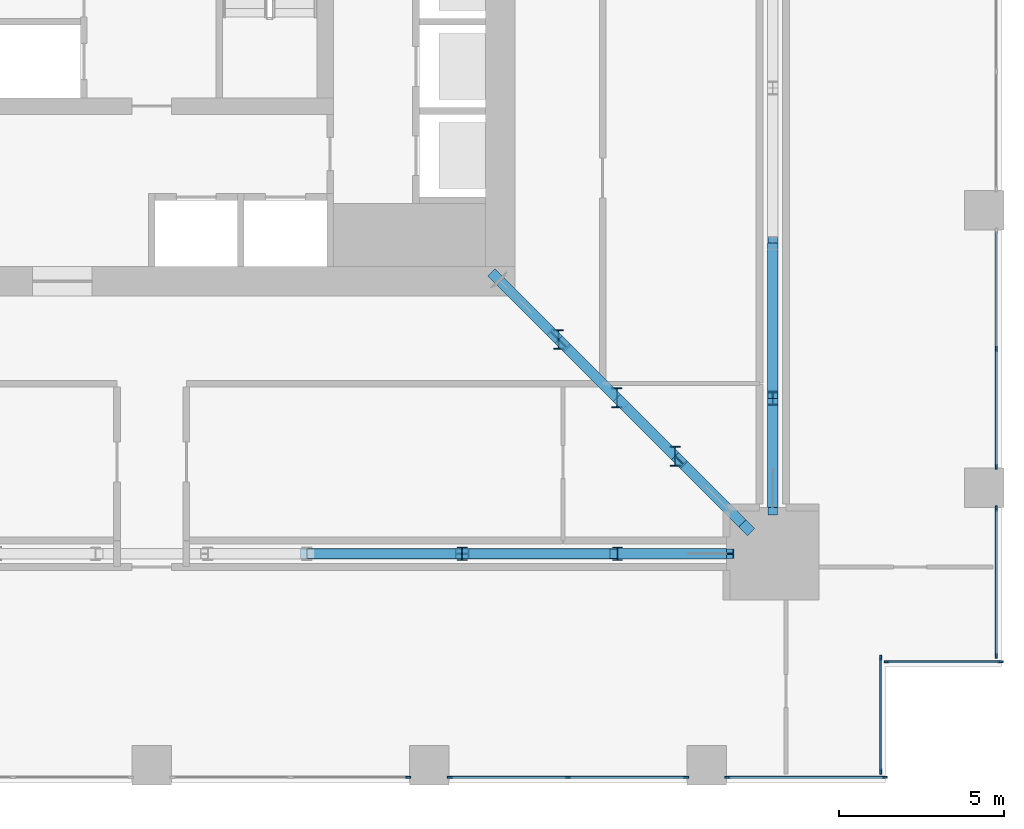
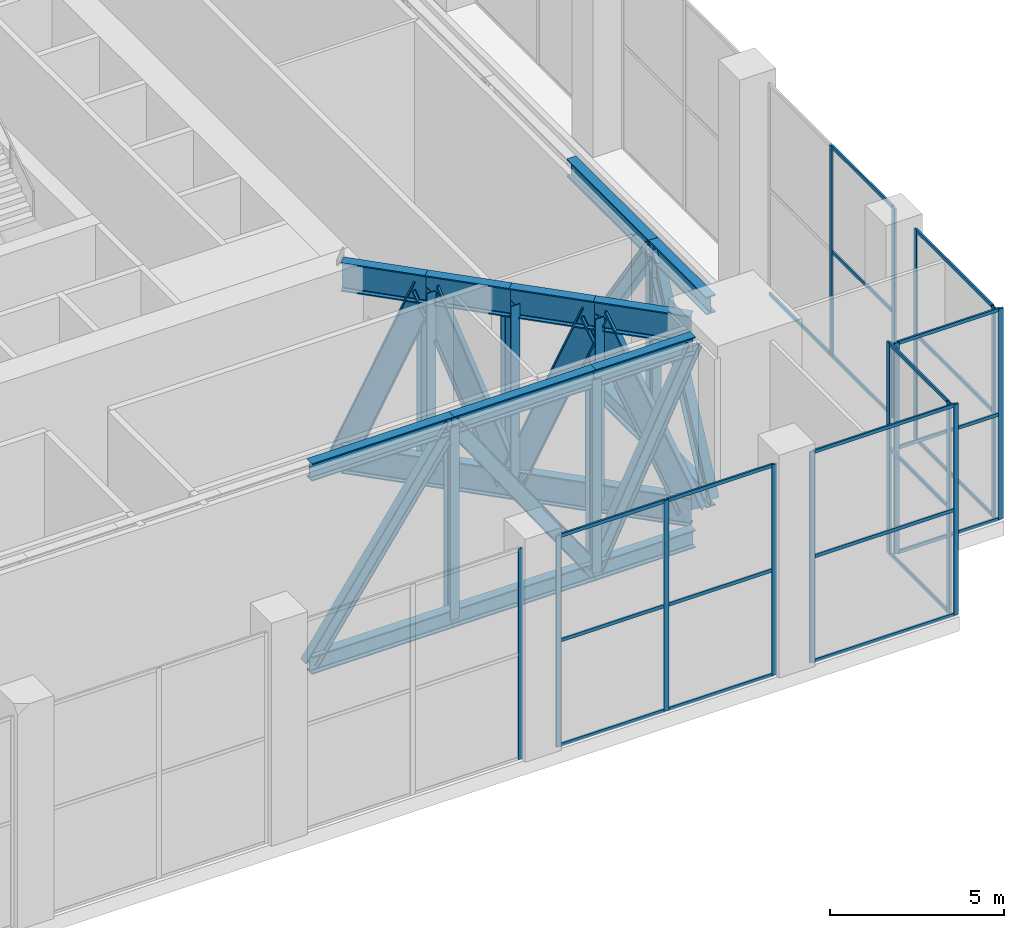
# One storey, part 5 of 21: 69 members, 7 elements without a shape of their own.
"""IFC4 building model written with IfcOpenShell, lengths in metres."""

from ifc_helpers import new_model, si_unit, direction, frame, origin, origin_2d, place, context, subcontext, project, spatial, rectangle, i_section, extrude, material, material_profile, profile_set, type_object, element, aggregate, save


model = new_model("IFC4")

# Units and contexts
model_context = context("Model", 3, precision=1e-05, world=origin(), true_north=direction((0.0, 1.0)))
body_context = subcontext(model_context, "Body", "Model", "MODEL_VIEW")
ifc_project = project(units=[si_unit("LENGTHUNIT", "METRE"), si_unit("AREAUNIT", "SQUARE_METRE"), si_unit("VOLUMEUNIT", "CUBIC_METRE"), si_unit("PLANEANGLEUNIT", "RADIAN"), si_unit("MASSUNIT", "GRAM", prefix="KILO")], contexts=[model_context])

# Site, building, storey
site_placement = place(None, origin())
site = spatial("IfcSite", under=ifc_project, at=site_placement, CompositionType="ELEMENT")
building_placement = place(site_placement, origin())
building = spatial("IfcBuilding", under=site, at=building_placement, Name="Khepri Terraces", CompositionType="ELEMENT")
storey_placement = place(building_placement, frame((0.0, 0.0, 126.0)))
storey = spatial("IfcBuildingStorey", under=building, at=storey_placement, Name="L30", CompositionType="ELEMENT", Elevation=126.0)

# Members
ifc_material_1 = material(Name="Steel S355", Category="steel")
ifc_material_profile_1 = material_profile(ifc_material_1, i_section(OverallWidth=0.304931640625, OverallDepth=0.6201171875, WebThickness=0.02099609375, FlangeThickness=0.0400390625, FilletRadius=0.027099609375, at=origin_2d()), Name="Steel S355", Category="steel")
ifc_profile_set_1 = profile_set([ifc_material_profile_1], Name="Steel S355")
member_type_1 = type_object("IfcMemberType", Name="Belt truss chord HEM 600", PredefinedType="CHORD", material=ifc_profile_set_1)
for number, where, z_axis, x_axis, name in (
    (1, (4.699951171875, -18.800048828125, 0.31005859375), (1.0, 0.0, 0.0), (0.0, 1.0, 0.0), "Belt truss chord BT-30-S bottom 7"),
    (2, (4.699951171875, -18.800048828125, 7.070068359375), (1.0, 0.0, 0.0), (0.0, 1.0, 0.0), "Belt truss chord BT-30-S top 7"),
):
    element("IfcMember", number, at=place(storey_placement, frame(where, z_axis=z_axis, x_axis=x_axis)), inside=storey, type_object=member_type_1, Name=name, PredefinedType="CHORD", context=body_context, shape_type="SweptSolid", body=[
        extrude(i_section(OverallWidth=0.304931640625, OverallDepth=0.6201171875, WebThickness=0.02099609375, FlangeThickness=0.0400390625, FilletRadius=0.027099609375, at=origin_2d()), origin(), (0.0, 0.0, 1.0), 4.699951171875),
    ])
for number, where, z_axis, x_axis, name in (
    (3, (9.39990234375, -18.800048828125, 0.31005859375), (1.0, 0.0, 0.0), (0.0, 1.0, 0.0), "Belt truss chord BT-30-S bottom 8"),
    (4, (9.39990234375, -18.800048828125, 7.070068359375), (1.0, 0.0, 0.0), (0.0, 1.0, 0.0), "Belt truss chord BT-30-S top 8"),
):
    element("IfcMember", number, at=place(storey_placement, frame(where, z_axis=z_axis, x_axis=x_axis)), inside=storey, type_object=member_type_1, Name=name, PredefinedType="CHORD", context=body_context, shape_type="SweptSolid", body=[
        extrude(i_section(OverallWidth=0.304931640625, OverallDepth=0.6201171875, WebThickness=0.02099609375, FlangeThickness=0.0400390625, FilletRadius=0.027099609375, at=origin_2d()), origin(), (0.0, 0.0, 1.0), 4.7001953125),
    ])
for number, where, z_axis, x_axis, name in (
    (5, (14.10009765625, -18.800048828125, 0.31005859375), (1.0, 0.0, 0.0), (0.0, 1.0, 0.0), "Belt truss chord BT-30-S bottom 9"),
    (6, (14.10009765625, -18.800048828125, 7.070068359375), (1.0, 0.0, 0.0), (0.0, 1.0, 0.0), "Belt truss chord BT-30-S top 9"),
    (7, (18.800048828125, -17.39990234375, 0.31005859375), (0.0, 1.0, 0.0), (-1.0, 0.0, 0.0), "Belt truss chord BT-30-E bottom 1"),
    (8, (18.800048828125, -17.39990234375, 7.070068359375), (0.0, 1.0, 0.0), (-1.0, 0.0, 0.0), "Belt truss chord BT-30-E top 1"),
):
    element("IfcMember", number, at=place(storey_placement, frame(where, z_axis=z_axis, x_axis=x_axis)), inside=storey, type_object=member_type_1, Name=name, PredefinedType="CHORD", context=body_context, shape_type="SweptSolid", body=[
        extrude(i_section(OverallWidth=0.304931640625, OverallDepth=0.6201171875, WebThickness=0.02099609375, FlangeThickness=0.0400390625, FilletRadius=0.027099609375, at=origin_2d()), origin(), (0.0, 0.0, 1.0), 3.2998046875),
    ])
for number, where, z_axis, x_axis, name in (
    (9, (18.800048828125, -14.10009765625, 0.31005859375), (0.0, 1.0, 0.0), (-1.0, 0.0, 0.0), "Belt truss chord BT-30-E bottom 2"),
    (10, (18.800048828125, -14.10009765625, 7.070068359375), (0.0, 1.0, 0.0), (-1.0, 0.0, 0.0), "Belt truss chord BT-30-E top 2"),
):
    element("IfcMember", number, at=place(storey_placement, frame(where, z_axis=z_axis, x_axis=x_axis)), inside=storey, type_object=member_type_1, Name=name, PredefinedType="CHORD", context=body_context, shape_type="SweptSolid", body=[
        extrude(i_section(OverallWidth=0.304931640625, OverallDepth=0.6201171875, WebThickness=0.02099609375, FlangeThickness=0.0400390625, FilletRadius=0.027099609375, at=origin_2d()), origin(), (0.0, 0.0, 1.0), 4.7001953125),
    ])
ifc_material_profile_2 = material_profile(ifc_material_1, i_section(OverallWidth=0.300048828125, OverallDepth=0.5, WebThickness=0.014404296875, FlangeThickness=0.028076171875, FilletRadius=0.027099609375, at=origin_2d()), Name="Steel S355", Category="steel")
ifc_profile_set_2 = profile_set([ifc_material_profile_2], Name="Steel S355")
member_type_2 = type_object("IfcMemberType", Name="Belt truss diagonal HEB 500", PredefinedType="BRACE", material=ifc_profile_set_2)
for number, where, z_axis, x_axis, name in (
    (11, (4.699951171875, -18.800048828125, 0.31005859375), (0.570846397071, 0.0, 0.82105687437), (0.0, 1.0, 0.0), "Belt truss diagonal BT-30-S 7"),
    (12, (9.39990234375, -18.800048828125, 7.070068359375), (0.570866386548, 0.0, -0.821042976165), (0.0, 1.0, 0.0), "Belt truss diagonal BT-30-S 8"),
):
    element("IfcMember", number, at=place(storey_placement, frame(where, z_axis=z_axis, x_axis=x_axis)), inside=storey, type_object=member_type_2, Name=name, PredefinedType="BRACE", context=body_context, shape_type="SweptSolid", body=[
        extrude(i_section(OverallWidth=0.300048828125, OverallDepth=0.5, WebThickness=0.014404296875, FlangeThickness=0.028076171875, FilletRadius=0.027099609375, at=origin_2d()), origin(), (0.0, 0.0, 1.0), 8.2333984375),
    ])
for number, where, z_axis, x_axis, name in (
    (13, (14.10009765625, -18.800048828125, 0.31005859375), (0.438664043467, 0.0, 0.898651131958), (0.0, 1.0, 0.0), "Belt truss diagonal BT-30-S 9"),
    (14, (18.800048828125, -17.39990234375, 0.31005859375), (0.0, 0.438664043467, 0.898651131958), (-1.0, 0.0, 0.0), "Belt truss diagonal BT-30-E 1"),
):
    element("IfcMember", number, at=place(storey_placement, frame(where, z_axis=z_axis, x_axis=x_axis)), inside=storey, type_object=member_type_2, Name=name, PredefinedType="BRACE", context=body_context, shape_type="SweptSolid", body=[
        extrude(i_section(OverallWidth=0.300048828125, OverallDepth=0.5, WebThickness=0.014404296875, FlangeThickness=0.028076171875, FilletRadius=0.027099609375, at=origin_2d()), origin(), (0.0, 0.0, 1.0), 7.5224609375),
    ])
member_1_placement = place(storey_placement, frame((18.800048828125, -14.10009765625, 7.070068359375), z_axis=(0.0, 0.570866386548, -0.821042976165), x_axis=(-1.0, 0.0, 0.0)))
element("IfcMember", 15, at=member_1_placement, inside=storey, type_object=member_type_2, Name="Belt truss diagonal BT-30-E 2", PredefinedType="BRACE", context=body_context, shape_type="SweptSolid", body=[
    extrude(i_section(OverallWidth=0.300048828125, OverallDepth=0.5, WebThickness=0.014404296875, FlangeThickness=0.028076171875, FilletRadius=0.027099609375, at=origin_2d()), origin(), (0.0, 0.0, 1.0), 8.2333984375),
])
ifc_material_profile_3 = material_profile(ifc_material_1, i_section(OverallWidth=0.300048828125, OverallDepth=0.39990234375, WebThickness=0.013427734375, FlangeThickness=0.02392578125, FilletRadius=0.027099609375, at=origin_2d()), Name="Steel S355", Category="steel")
ifc_profile_set_3 = profile_set([ifc_material_profile_3], Name="Steel S355")
member_type_3 = type_object("IfcMemberType", Name="Belt truss post HEB 400", PredefinedType="POST", material=ifc_profile_set_3)
for number, where, z_axis, x_axis, name in (
    (16, (9.39990234375, -18.800048828125, 0.31005859375), (0.0, 0.0, 1.0), (1.0, 0.0, 0.0), "Belt truss post BT-30-S 7"),
    (17, (14.10009765625, -18.800048828125, 0.31005859375), (0.0, 0.0, 1.0), (1.0, 0.0, 0.0), "Belt truss post BT-30-S 8"),
    (18, (18.800048828125, -14.10009765625, 0.31005859375), (0.0, 0.0, 1.0), (1.0, 0.0, 0.0), "Belt truss post BT-30-E 1"),
):
    element("IfcMember", number, at=place(storey_placement, frame(where, z_axis=z_axis, x_axis=x_axis)), inside=storey, type_object=member_type_3, Name=name, PredefinedType="POST", context=body_context, shape_type="SweptSolid", body=[
        extrude(i_section(OverallWidth=0.300048828125, OverallDepth=0.39990234375, WebThickness=0.013427734375, FlangeThickness=0.02392578125, FilletRadius=0.027099609375, at=origin_2d()), origin(), (0.0, 0.0, 1.0), 6.760009765625),
    ])

# Curtain wall, members
ifc_material_2 = material(Name="Anodised aluminium bronze curtain wall", Category="aluminium")
curtain_wall_type = type_object("IfcCurtainWallType", Name="CW-SYS3-SKY", PredefinedType="NOTDEFINED", material=ifc_material_2)
curtain_wall_1_placement = place(storey_placement, origin())
curtain_wall_1 = element("IfcCurtainWall", 19, at=curtain_wall_1_placement, inside=storey, type_object=curtain_wall_type, Name="Curtain wall CW3 L30 E", PredefinedType="NOTDEFINED")
ifc_material_3 = material(Name="Anodised aluminium bronze", Category="aluminium")
ifc_material_profile_4 = material_profile(ifc_material_3, rectangle(XDim=0.06005859375, YDim=0.159912109375, at=origin_2d()), Name="Anodised aluminium bronze", Category="aluminium")
ifc_profile_set_4 = profile_set([ifc_material_profile_4], Name="Anodised aluminium bronze")
member_type_4 = type_object("IfcMemberType", Name="CW-MULLION-60x160", PredefinedType="MULLION", material=ifc_profile_set_4)
member_2_placement = place(storey_placement, frame((25.570068359375, -21.889892578125, 0.0), z_axis=(0.0, 0.0, 1.0), x_axis=(-1.0, 0.0, 0.0)))
member_2 = element("IfcMember", 20, at=member_2_placement, type_object=member_type_4, Name="CW3 mullion 1", PredefinedType="MULLION", context=body_context, shape_type="SweptSolid", body=[
    extrude(rectangle(XDim=0.06005859375, YDim=0.159912109375, at=origin_2d()), origin(), (0.0, 0.0, 1.0), 7.3798828125),
])
member_3_placement = place(storey_placement, frame((25.570068359375, -17.429931640625, 0.0), z_axis=(0.0, 0.0, 1.0), x_axis=(-1.0, 0.0, 0.0)))
member_3 = element("IfcMember", 21, at=member_3_placement, type_object=member_type_4, Name="CW3 mullion 2", PredefinedType="MULLION", context=body_context, shape_type="SweptSolid", body=[
    extrude(rectangle(XDim=0.06005859375, YDim=0.159912109375, at=origin_2d()), origin(), (0.0, 0.0, 1.0), 7.3798828125),
])

curtain_wall_2_placement = place(storey_placement, origin())
curtain_wall_2 = element("IfcCurtainWall", 22, at=curtain_wall_2_placement, inside=storey, type_object=curtain_wall_type, Name="Curtain wall CW3 L30 E", PredefinedType="NOTDEFINED")
member_4_placement = place(storey_placement, frame((25.570068359375, -16.169921875, 0.0), z_axis=(0.0, 0.0, 1.0), x_axis=(-1.0, 0.0, 0.0)))
member_4 = element("IfcMember", 23, at=member_4_placement, type_object=member_type_4, Name="CW3 mullion 1", PredefinedType="MULLION", context=body_context, shape_type="SweptSolid", body=[
    extrude(rectangle(XDim=0.06005859375, YDim=0.159912109375, at=origin_2d()), origin(), (0.0, 0.0, 1.0), 7.3798828125),
])
member_5_placement = place(storey_placement, frame((25.570068359375, -12.60009765625, 0.0), z_axis=(0.0, 0.0, 1.0), x_axis=(-1.0, 0.0, 0.0)))
member_5 = element("IfcMember", 24, at=member_5_placement, type_object=member_type_4, Name="CW3 mullion 2", PredefinedType="MULLION", context=body_context, shape_type="SweptSolid", body=[
    extrude(rectangle(XDim=0.06005859375, YDim=0.159912109375, at=origin_2d()), origin(), (0.0, 0.0, 1.0), 7.3798828125),
])

# Curtain wall, member
curtain_wall_3_placement = place(storey_placement, origin())
curtain_wall_3 = element("IfcCurtainWall", 25, at=curtain_wall_3_placement, inside=storey, type_object=curtain_wall_type, Name="Curtain wall CW3 L30 S", PredefinedType="NOTDEFINED")
member_6_placement = place(storey_placement, frame((7.77001953125, -25.570068359375, 0.0), z_axis=(0.0, 0.0, 1.0), x_axis=(0.0, 1.0, 0.0)))
member_6 = element("IfcMember", 26, at=member_6_placement, type_object=member_type_4, Name="CW3 mullion 3", PredefinedType="MULLION", context=body_context, shape_type="SweptSolid", body=[
    extrude(rectangle(XDim=0.06005859375, YDim=0.159912109375, at=origin_2d()), origin(), (0.0, 0.0, 1.0), 7.3798828125),
])
aggregate(curtain_wall_3, [member_6])

# Curtain wall, members
curtain_wall_4_placement = place(storey_placement, origin())
curtain_wall_4 = element("IfcCurtainWall", 27, at=curtain_wall_4_placement, inside=storey, type_object=curtain_wall_type, Name="Curtain wall CW3 L30 S", PredefinedType="NOTDEFINED")
member_7_placement = place(storey_placement, frame((9.030029296875, -25.570068359375, 0.0), z_axis=(0.0, 0.0, 1.0), x_axis=(0.0, 1.0, 0.0)))
member_7 = element("IfcMember", 28, at=member_7_placement, type_object=member_type_4, Name="CW3 mullion 1", PredefinedType="MULLION", context=body_context, shape_type="SweptSolid", body=[
    extrude(rectangle(XDim=0.06005859375, YDim=0.159912109375, at=origin_2d()), origin(), (0.0, 0.0, 1.0), 7.3798828125),
])
member_8_placement = place(storey_placement, frame((12.60009765625, -25.570068359375, 0.0), z_axis=(0.0, 0.0, 1.0), x_axis=(0.0, 1.0, 0.0)))
member_8 = element("IfcMember", 29, at=member_8_placement, type_object=member_type_4, Name="CW3 mullion 2", PredefinedType="MULLION", context=body_context, shape_type="SweptSolid", body=[
    extrude(rectangle(XDim=0.06005859375, YDim=0.159912109375, at=origin_2d()), origin(), (0.0, 0.0, 1.0), 7.3798828125),
])
member_9_placement = place(storey_placement, frame((16.169921875, -25.570068359375, 0.0), z_axis=(0.0, 0.0, 1.0), x_axis=(0.0, 1.0, 0.0)))
member_9 = element("IfcMember", 30, at=member_9_placement, type_object=member_type_4, Name="CW3 mullion 3", PredefinedType="MULLION", context=body_context, shape_type="SweptSolid", body=[
    extrude(rectangle(XDim=0.06005859375, YDim=0.159912109375, at=origin_2d()), origin(), (0.0, 0.0, 1.0), 7.3798828125),
])

curtain_wall_5_placement = place(storey_placement, origin())
curtain_wall_5 = element("IfcCurtainWall", 31, at=curtain_wall_5_placement, inside=storey, type_object=curtain_wall_type, Name="Curtain wall CW3 L30 S", PredefinedType="NOTDEFINED")
member_10_placement = place(storey_placement, frame((17.429931640625, -25.570068359375, 0.0), z_axis=(0.0, 0.0, 1.0), x_axis=(0.0, 1.0, 0.0)))
member_10 = element("IfcMember", 32, at=member_10_placement, type_object=member_type_4, Name="CW3 mullion 1", PredefinedType="MULLION", context=body_context, shape_type="SweptSolid", body=[
    extrude(rectangle(XDim=0.06005859375, YDim=0.159912109375, at=origin_2d()), origin(), (0.0, 0.0, 1.0), 7.3798828125),
])
member_11_placement = place(storey_placement, frame((22.18994140625, -25.570068359375, 0.0), z_axis=(0.0, 0.0, 1.0), x_axis=(0.0, 1.0, 0.0)))
member_11 = element("IfcMember", 33, at=member_11_placement, type_object=member_type_4, Name="CW3 mullion 2", PredefinedType="MULLION", context=body_context, shape_type="SweptSolid", body=[
    extrude(rectangle(XDim=0.06005859375, YDim=0.159912109375, at=origin_2d()), origin(), (0.0, 0.0, 1.0), 7.3798828125),
])

curtain_wall_6_placement = place(storey_placement, origin())
curtain_wall_6 = element("IfcCurtainWall", 34, at=curtain_wall_6_placement, inside=storey, type_object=curtain_wall_type, Name="Curtain wall CW3 L30 E", PredefinedType="NOTDEFINED")
member_12_placement = place(storey_placement, frame((22.070068359375, -25.389892578125, 0.0), z_axis=(0.0, 0.0, 1.0), x_axis=(-1.0, 0.0, 0.0)))
member_12 = element("IfcMember", 35, at=member_12_placement, type_object=member_type_4, Name="CW3 mullion 1", PredefinedType="MULLION", context=body_context, shape_type="SweptSolid", body=[
    extrude(rectangle(XDim=0.06005859375, YDim=0.159912109375, at=origin_2d()), origin(), (0.0, 0.0, 1.0), 7.3798828125),
])
member_13_placement = place(storey_placement, frame((22.070068359375, -21.949951171875, 0.0), z_axis=(0.0, 0.0, 1.0), x_axis=(-1.0, 0.0, 0.0)))
member_13 = element("IfcMember", 36, at=member_13_placement, type_object=member_type_4, Name="CW3 mullion 2", PredefinedType="MULLION", context=body_context, shape_type="SweptSolid", body=[
    extrude(rectangle(XDim=0.06005859375, YDim=0.159912109375, at=origin_2d()), origin(), (0.0, 0.0, 1.0), 7.3798828125),
])

curtain_wall_7_placement = place(storey_placement, origin())
curtain_wall_7 = element("IfcCurtainWall", 37, at=curtain_wall_7_placement, inside=storey, type_object=curtain_wall_type, Name="Curtain wall CW3 L30 S", PredefinedType="NOTDEFINED")
member_14_placement = place(storey_placement, frame((22.25, -22.070068359375, 0.0), z_axis=(0.0, 0.0, 1.0), x_axis=(0.0, 1.0, 0.0)))
member_14 = element("IfcMember", 38, at=member_14_placement, type_object=member_type_4, Name="CW3 mullion 1", PredefinedType="MULLION", context=body_context, shape_type="SweptSolid", body=[
    extrude(rectangle(XDim=0.06005859375, YDim=0.159912109375, at=origin_2d()), origin(), (0.0, 0.0, 1.0), 7.3798828125),
])
member_15_placement = place(storey_placement, frame((25.68994140625, -22.070068359375, 0.0), z_axis=(0.0, 0.0, 1.0), x_axis=(0.0, 1.0, 0.0)))
member_15 = element("IfcMember", 39, at=member_15_placement, type_object=member_type_4, Name="CW3 mullion 2", PredefinedType="MULLION", context=body_context, shape_type="SweptSolid", body=[
    extrude(rectangle(XDim=0.06005859375, YDim=0.159912109375, at=origin_2d()), origin(), (0.0, 0.0, 1.0), 7.3798828125),
])

# Member
ifc_material_profile_5 = material_profile(ifc_material_3, rectangle(XDim=0.06005859375, YDim=0.1201171875, at=origin_2d()), Name="Anodised aluminium bronze", Category="aluminium")
ifc_profile_set_5 = profile_set([ifc_material_profile_5], Name="Anodised aluminium bronze")
member_type_5 = type_object("IfcMemberType", Name="CW-TRANSOM-60x120", PredefinedType="USERDEFINED", material=ifc_profile_set_5)
member_16_placement = place(storey_placement, frame((25.570068359375, -21.860107421875, 0.030029296875), z_axis=(0.0, 1.0, 0.0), x_axis=(-1.0, 0.0, 0.0)))
member_16 = element("IfcMember", 40, at=member_16_placement, type_object=member_type_5, Name="CW3 transom 1.1", ObjectType="TRANSOM", PredefinedType="USERDEFINED", context=body_context, shape_type="SweptSolid", body=[
    extrude(rectangle(XDim=0.06005859375, YDim=0.1201171875, at=origin_2d()), origin(), (0.0, 0.0, 1.0), 4.400146484375),
])

member_17_placement = place(storey_placement, frame((25.570068359375, -21.860107421875, 3.68994140625), z_axis=(0.0, 1.0, 0.0), x_axis=(-1.0, 0.0, 0.0)))
member_17 = element("IfcMember", 41, at=member_17_placement, type_object=member_type_5, Name="CW3 transom 1.2", ObjectType="TRANSOM", PredefinedType="USERDEFINED", context=body_context, shape_type="SweptSolid", body=[
    extrude(rectangle(XDim=0.06005859375, YDim=0.1201171875, at=origin_2d()), origin(), (0.0, 0.0, 1.0), 4.400146484375),
])

member_18_placement = place(storey_placement, frame((25.570068359375, -21.860107421875, 7.35009765625), z_axis=(0.0, 1.0, 0.0), x_axis=(-1.0, 0.0, 0.0)))
member_18 = element("IfcMember", 42, at=member_18_placement, type_object=member_type_5, Name="CW3 transom 1.3", ObjectType="TRANSOM", PredefinedType="USERDEFINED", context=body_context, shape_type="SweptSolid", body=[
    extrude(rectangle(XDim=0.06005859375, YDim=0.1201171875, at=origin_2d()), origin(), (0.0, 0.0, 1.0), 4.400146484375),
])

aggregate(curtain_wall_1, [member_2, member_3, member_16, member_17, member_18])

member_19_placement = place(storey_placement, frame((25.570068359375, -16.139892578125, 0.030029296875), z_axis=(0.0, 1.0, 0.0), x_axis=(-1.0, 0.0, 0.0)))
member_19 = element("IfcMember", 43, at=member_19_placement, type_object=member_type_5, Name="CW3 transom 1.1", ObjectType="TRANSOM", PredefinedType="USERDEFINED", context=body_context, shape_type="SweptSolid", body=[
    extrude(rectangle(XDim=0.06005859375, YDim=0.1201171875, at=origin_2d()), origin(), (0.0, 0.0, 1.0), 3.510009765625),
])

member_20_placement = place(storey_placement, frame((25.570068359375, -16.139892578125, 3.68994140625), z_axis=(0.0, 1.0, 0.0), x_axis=(-1.0, 0.0, 0.0)))
member_20 = element("IfcMember", 44, at=member_20_placement, type_object=member_type_5, Name="CW3 transom 1.2", ObjectType="TRANSOM", PredefinedType="USERDEFINED", context=body_context, shape_type="SweptSolid", body=[
    extrude(rectangle(XDim=0.06005859375, YDim=0.1201171875, at=origin_2d()), origin(), (0.0, 0.0, 1.0), 3.510009765625),
])

member_21_placement = place(storey_placement, frame((25.570068359375, -16.139892578125, 7.35009765625), z_axis=(0.0, 1.0, 0.0), x_axis=(-1.0, 0.0, 0.0)))
member_21 = element("IfcMember", 45, at=member_21_placement, type_object=member_type_5, Name="CW3 transom 1.3", ObjectType="TRANSOM", PredefinedType="USERDEFINED", context=body_context, shape_type="SweptSolid", body=[
    extrude(rectangle(XDim=0.06005859375, YDim=0.1201171875, at=origin_2d()), origin(), (0.0, 0.0, 1.0), 3.510009765625),
])

member_22_placement = place(storey_placement, frame((25.570068359375, -12.570068359375, 0.030029296875), z_axis=(0.0, 1.0, 0.0), x_axis=(-1.0, 0.0, 0.0)))
member_22 = element("IfcMember", 46, at=member_22_placement, type_object=member_type_5, Name="CW3 transom 2.1", ObjectType="TRANSOM", PredefinedType="USERDEFINED", context=body_context, shape_type="SweptSolid", body=[
    extrude(rectangle(XDim=0.06005859375, YDim=0.1201171875, at=origin_2d()), origin(), (0.0, 0.0, 1.0), 3.510009765625),
])

aggregate(curtain_wall_2, [member_4, member_5, member_19, member_20, member_21, member_22])

member_23_placement = place(storey_placement, frame((9.06005859375, -25.570068359375, 0.030029296875), z_axis=(1.0, 0.0, 0.0), x_axis=(0.0, 1.0, 0.0)))
member_23 = element("IfcMember", 47, at=member_23_placement, type_object=member_type_5, Name="CW3 transom 1.1", ObjectType="TRANSOM", PredefinedType="USERDEFINED", context=body_context, shape_type="SweptSolid", body=[
    extrude(rectangle(XDim=0.06005859375, YDim=0.1201171875, at=origin_2d()), origin(), (0.0, 0.0, 1.0), 3.510009765625),
])

member_24_placement = place(storey_placement, frame((9.06005859375, -25.570068359375, 3.68994140625), z_axis=(1.0, 0.0, 0.0), x_axis=(0.0, 1.0, 0.0)))
member_24 = element("IfcMember", 48, at=member_24_placement, type_object=member_type_5, Name="CW3 transom 1.2", ObjectType="TRANSOM", PredefinedType="USERDEFINED", context=body_context, shape_type="SweptSolid", body=[
    extrude(rectangle(XDim=0.06005859375, YDim=0.1201171875, at=origin_2d()), origin(), (0.0, 0.0, 1.0), 3.510009765625),
])

member_25_placement = place(storey_placement, frame((9.06005859375, -25.570068359375, 7.35009765625), z_axis=(1.0, 0.0, 0.0), x_axis=(0.0, 1.0, 0.0)))
member_25 = element("IfcMember", 49, at=member_25_placement, type_object=member_type_5, Name="CW3 transom 1.3", ObjectType="TRANSOM", PredefinedType="USERDEFINED", context=body_context, shape_type="SweptSolid", body=[
    extrude(rectangle(XDim=0.06005859375, YDim=0.1201171875, at=origin_2d()), origin(), (0.0, 0.0, 1.0), 3.510009765625),
])

member_26_placement = place(storey_placement, frame((12.6298828125, -25.570068359375, 0.030029296875), z_axis=(1.0, 0.0, 0.0), x_axis=(0.0, 1.0, 0.0)))
member_26 = element("IfcMember", 50, at=member_26_placement, type_object=member_type_5, Name="CW3 transom 2.1", ObjectType="TRANSOM", PredefinedType="USERDEFINED", context=body_context, shape_type="SweptSolid", body=[
    extrude(rectangle(XDim=0.06005859375, YDim=0.1201171875, at=origin_2d()), origin(), (0.0, 0.0, 1.0), 3.510009765625),
])

member_27_placement = place(storey_placement, frame((12.6298828125, -25.570068359375, 3.68994140625), z_axis=(1.0, 0.0, 0.0), x_axis=(0.0, 1.0, 0.0)))
member_27 = element("IfcMember", 51, at=member_27_placement, type_object=member_type_5, Name="CW3 transom 2.2", ObjectType="TRANSOM", PredefinedType="USERDEFINED", context=body_context, shape_type="SweptSolid", body=[
    extrude(rectangle(XDim=0.06005859375, YDim=0.1201171875, at=origin_2d()), origin(), (0.0, 0.0, 1.0), 3.510009765625),
])

member_28_placement = place(storey_placement, frame((12.6298828125, -25.570068359375, 7.35009765625), z_axis=(1.0, 0.0, 0.0), x_axis=(0.0, 1.0, 0.0)))
member_28 = element("IfcMember", 52, at=member_28_placement, type_object=member_type_5, Name="CW3 transom 2.3", ObjectType="TRANSOM", PredefinedType="USERDEFINED", context=body_context, shape_type="SweptSolid", body=[
    extrude(rectangle(XDim=0.06005859375, YDim=0.1201171875, at=origin_2d()), origin(), (0.0, 0.0, 1.0), 3.510009765625),
])

aggregate(curtain_wall_4, [member_7, member_8, member_9, member_23, member_24, member_25, member_26, member_27, member_28])

member_29_placement = place(storey_placement, frame((17.4599609375, -25.570068359375, 0.030029296875), z_axis=(1.0, 0.0, 0.0), x_axis=(0.0, 1.0, 0.0)))
member_29 = element("IfcMember", 53, at=member_29_placement, type_object=member_type_5, Name="CW3 transom 1.1", ObjectType="TRANSOM", PredefinedType="USERDEFINED", context=body_context, shape_type="SweptSolid", body=[
    extrude(rectangle(XDim=0.06005859375, YDim=0.1201171875, at=origin_2d()), origin(), (0.0, 0.0, 1.0), 4.699951171875),
])

member_30_placement = place(storey_placement, frame((17.4599609375, -25.570068359375, 3.68994140625), z_axis=(1.0, 0.0, 0.0), x_axis=(0.0, 1.0, 0.0)))
member_30 = element("IfcMember", 54, at=member_30_placement, type_object=member_type_5, Name="CW3 transom 1.2", ObjectType="TRANSOM", PredefinedType="USERDEFINED", context=body_context, shape_type="SweptSolid", body=[
    extrude(rectangle(XDim=0.06005859375, YDim=0.1201171875, at=origin_2d()), origin(), (0.0, 0.0, 1.0), 4.699951171875),
])

member_31_placement = place(storey_placement, frame((17.4599609375, -25.570068359375, 7.35009765625), z_axis=(1.0, 0.0, 0.0), x_axis=(0.0, 1.0, 0.0)))
member_31 = element("IfcMember", 55, at=member_31_placement, type_object=member_type_5, Name="CW3 transom 1.3", ObjectType="TRANSOM", PredefinedType="USERDEFINED", context=body_context, shape_type="SweptSolid", body=[
    extrude(rectangle(XDim=0.06005859375, YDim=0.1201171875, at=origin_2d()), origin(), (0.0, 0.0, 1.0), 4.699951171875),
])

aggregate(curtain_wall_5, [member_10, member_11, member_29, member_30, member_31])

member_32_placement = place(storey_placement, frame((22.070068359375, -25.360107421875, 0.030029296875), z_axis=(0.0, 1.0, 0.0), x_axis=(-1.0, 0.0, 0.0)))
member_32 = element("IfcMember", 56, at=member_32_placement, type_object=member_type_5, Name="CW3 transom 1.1", ObjectType="TRANSOM", PredefinedType="USERDEFINED", context=body_context, shape_type="SweptSolid", body=[
    extrude(rectangle(XDim=0.06005859375, YDim=0.1201171875, at=origin_2d()), origin(), (0.0, 0.0, 1.0), 3.380126953125),
])

member_33_placement = place(storey_placement, frame((22.070068359375, -25.360107421875, 3.68994140625), z_axis=(0.0, 1.0, 0.0), x_axis=(-1.0, 0.0, 0.0)))
member_33 = element("IfcMember", 57, at=member_33_placement, type_object=member_type_5, Name="CW3 transom 1.2", ObjectType="TRANSOM", PredefinedType="USERDEFINED", context=body_context, shape_type="SweptSolid", body=[
    extrude(rectangle(XDim=0.06005859375, YDim=0.1201171875, at=origin_2d()), origin(), (0.0, 0.0, 1.0), 3.380126953125),
])

member_34_placement = place(storey_placement, frame((22.070068359375, -25.360107421875, 7.35009765625), z_axis=(0.0, 1.0, 0.0), x_axis=(-1.0, 0.0, 0.0)))
member_34 = element("IfcMember", 58, at=member_34_placement, type_object=member_type_5, Name="CW3 transom 1.3", ObjectType="TRANSOM", PredefinedType="USERDEFINED", context=body_context, shape_type="SweptSolid", body=[
    extrude(rectangle(XDim=0.06005859375, YDim=0.1201171875, at=origin_2d()), origin(), (0.0, 0.0, 1.0), 3.380126953125),
])

aggregate(curtain_wall_6, [member_12, member_13, member_32, member_33, member_34])

member_35_placement = place(storey_placement, frame((22.280029296875, -22.070068359375, 0.030029296875), z_axis=(1.0, 0.0, 0.0), x_axis=(0.0, 1.0, 0.0)))
member_35 = element("IfcMember", 59, at=member_35_placement, type_object=member_type_5, Name="CW3 transom 1.1", ObjectType="TRANSOM", PredefinedType="USERDEFINED", context=body_context, shape_type="SweptSolid", body=[
    extrude(rectangle(XDim=0.06005859375, YDim=0.1201171875, at=origin_2d()), origin(), (0.0, 0.0, 1.0), 3.3798828125),
])

member_36_placement = place(storey_placement, frame((22.280029296875, -22.070068359375, 3.68994140625), z_axis=(1.0, 0.0, 0.0), x_axis=(0.0, 1.0, 0.0)))
member_36 = element("IfcMember", 60, at=member_36_placement, type_object=member_type_5, Name="CW3 transom 1.2", ObjectType="TRANSOM", PredefinedType="USERDEFINED", context=body_context, shape_type="SweptSolid", body=[
    extrude(rectangle(XDim=0.06005859375, YDim=0.1201171875, at=origin_2d()), origin(), (0.0, 0.0, 1.0), 3.3798828125),
])

member_37_placement = place(storey_placement, frame((22.280029296875, -22.070068359375, 7.35009765625), z_axis=(1.0, 0.0, 0.0), x_axis=(0.0, 1.0, 0.0)))
member_37 = element("IfcMember", 61, at=member_37_placement, type_object=member_type_5, Name="CW3 transom 1.3", ObjectType="TRANSOM", PredefinedType="USERDEFINED", context=body_context, shape_type="SweptSolid", body=[
    extrude(rectangle(XDim=0.06005859375, YDim=0.1201171875, at=origin_2d()), origin(), (0.0, 0.0, 1.0), 3.3798828125),
])

aggregate(curtain_wall_7, [member_14, member_15, member_35, member_36, member_37])

# Members
ifc_material_profile_6 = material_profile(ifc_material_1, i_section(OverallWidth=0.302001953125, OverallDepth=1.008056640625, WebThickness=0.02099609375, FlangeThickness=0.0400390625, FilletRadius=0.030029296875, at=origin_2d()), Name="Steel S355", Category="steel")
ifc_profile_set_6 = profile_set([ifc_material_profile_6], Name="Steel S355")
member_type_6 = type_object("IfcMemberType", Name="Outrigger chord HEM 1000", PredefinedType="CHORD", material=ifc_profile_set_6)
for number, where, z_axis, x_axis, name in (
    (62, (10.550048828125, -10.550048828125, 0.50390625), (0.707106781187, -0.707106781187, 0.0), (0.707106781187, 0.707106781187, 0.0), "Outrigger chord OT-30-ES bottom 1"),
    (63, (10.550048828125, -10.550048828125, 6.8759765625), (0.707106781187, -0.707106781187, 0.0), (0.707106781187, 0.707106781187, 0.0), "Outrigger chord OT-30-ES top 1"),
):
    element("IfcMember", number, at=place(storey_placement, frame(where, z_axis=z_axis, x_axis=x_axis)), inside=storey, type_object=member_type_6, Name=name, PredefinedType="CHORD", context=body_context, shape_type="SweptSolid", body=[
        extrude(i_section(OverallWidth=0.302001953125, OverallDepth=1.008056640625, WebThickness=0.02099609375, FlangeThickness=0.0400390625, FilletRadius=0.030029296875, at=origin_2d()), origin(), (0.0, 0.0, 1.0), 2.49658203125),
    ])
for number, where, z_axis, x_axis, name in (
    (64, (12.3154296875, -12.3154296875, 0.50390625), (0.707106781187, -0.707106781187, 0.0), (0.707106781187, 0.707106781187, 0.0), "Outrigger chord OT-30-ES bottom 2"),
    (65, (12.3154296875, -12.3154296875, 6.8759765625), (0.707106781187, -0.707106781187, 0.0), (0.707106781187, 0.707106781187, 0.0), "Outrigger chord OT-30-ES top 2"),
    (66, (14.0810546875, -14.0810546875, 0.50390625), (0.707106781187, -0.707106781187, 0.0), (0.707106781187, 0.707106781187, 0.0), "Outrigger chord OT-30-ES bottom 3"),
    (67, (14.0810546875, -14.0810546875, 6.8759765625), (0.707106781187, -0.707106781187, 0.0), (0.707106781187, 0.707106781187, 0.0), "Outrigger chord OT-30-ES top 3"),
):
    element("IfcMember", number, at=place(storey_placement, frame(where, z_axis=z_axis, x_axis=x_axis)), inside=storey, type_object=member_type_6, Name=name, PredefinedType="CHORD", context=body_context, shape_type="SweptSolid", body=[
        extrude(i_section(OverallWidth=0.302001953125, OverallDepth=1.008056640625, WebThickness=0.02099609375, FlangeThickness=0.0400390625, FilletRadius=0.030029296875, at=origin_2d()), origin(), (0.0, 0.0, 1.0), 2.4970703125),
    ])
for number, where, z_axis, x_axis, name in (
    (68, (15.8466796875, -15.8466796875, 0.50390625), (0.707106781187, -0.707106781187, 0.0), (0.707106781187, 0.707106781187, 0.0), "Outrigger chord OT-30-ES bottom 4"),
    (69, (15.8466796875, -15.8466796875, 6.8759765625), (0.707106781187, -0.707106781187, 0.0), (0.707106781187, 0.707106781187, 0.0), "Outrigger chord OT-30-ES top 4"),
):
    element("IfcMember", number, at=place(storey_placement, frame(where, z_axis=z_axis, x_axis=x_axis)), inside=storey, type_object=member_type_6, Name=name, PredefinedType="CHORD", context=body_context, shape_type="SweptSolid", body=[
        extrude(i_section(OverallWidth=0.302001953125, OverallDepth=1.008056640625, WebThickness=0.02099609375, FlangeThickness=0.0400390625, FilletRadius=0.030029296875, at=origin_2d()), origin(), (0.0, 0.0, 1.0), 2.876708984375),
    ])
ifc_material_profile_7 = material_profile(ifc_material_1, i_section(OverallWidth=0.302978515625, OverallDepth=0.81396484375, WebThickness=0.02099609375, FlangeThickness=0.0400390625, FilletRadius=0.030029296875, at=origin_2d()), Name="Steel S355", Category="steel")
ifc_profile_set_7 = profile_set([ifc_material_profile_7], Name="Steel S355")
member_type_7 = type_object("IfcMemberType", Name="Outrigger diagonal HEM 800", PredefinedType="BRACE", material=ifc_profile_set_7)
for number, where, z_axis, x_axis, name in (
    (70, (10.550048828125, -10.550048828125, 0.50390625), (0.257956556739, -0.257956556739, 0.931083685643), (0.707106781187, 0.707106781187, 0.0), "Outrigger diagonal OT-30-ES 1"),
    (71, (12.3154296875, -12.3154296875, 6.8759765625), (0.25798748202, -0.25798748202, -0.931066548772), (0.707106781187, 0.707106781187, 0.0), "Outrigger diagonal OT-30-ES 2"),
    (72, (14.0810546875, -14.0810546875, 0.50390625), (0.25798748202, -0.25798748202, 0.931066548772), (0.707106781187, 0.707106781187, 0.0), "Outrigger diagonal OT-30-ES 3"),
):
    element("IfcMember", number, at=place(storey_placement, frame(where, z_axis=z_axis, x_axis=x_axis)), inside=storey, type_object=member_type_7, Name=name, PredefinedType="BRACE", context=body_context, shape_type="SweptSolid", body=[
        extrude(i_section(OverallWidth=0.302978515625, OverallDepth=0.81396484375, WebThickness=0.02099609375, FlangeThickness=0.0400390625, FilletRadius=0.030029296875, at=origin_2d()), origin(), (0.0, 0.0, 1.0), 6.84375),
    ])
member_38_placement = place(storey_placement, frame((15.8466796875, -15.8466796875, 6.8759765625), z_axis=(0.290956401625, -0.290956401625, -0.911421277295), x_axis=(0.707106781187, 0.707106781187, 0.0)))
element("IfcMember", 73, at=member_38_placement, inside=storey, type_object=member_type_7, Name="Outrigger diagonal OT-30-ES 4", PredefinedType="BRACE", context=body_context, shape_type="SweptSolid", body=[
    extrude(i_section(OverallWidth=0.302978515625, OverallDepth=0.81396484375, WebThickness=0.02099609375, FlangeThickness=0.0400390625, FilletRadius=0.030029296875, at=origin_2d()), origin(), (0.0, 0.0, 1.0), 6.991455078125),
])
ifc_material_profile_8 = material_profile(ifc_material_1, i_section(OverallWidth=0.300048828125, OverallDepth=0.60009765625, WebThickness=0.015380859375, FlangeThickness=0.030029296875, FilletRadius=0.027099609375, at=origin_2d()), Name="Steel S355", Category="steel")
ifc_profile_set_8 = profile_set([ifc_material_profile_8], Name="Steel S355")
member_type_8 = type_object("IfcMemberType", Name="Outrigger post HEB 600", PredefinedType="POST", material=ifc_profile_set_8)
for number, where, z_axis, x_axis, name in (
    (74, (12.3154296875, -12.3154296875, 0.50390625), (0.0, 0.0, 1.0), (1.0, 0.0, 0.0), "Outrigger post OT-30-ES 1"),
    (75, (14.0810546875, -14.0810546875, 0.50390625), (0.0, 0.0, 1.0), (1.0, 0.0, 0.0), "Outrigger post OT-30-ES 2"),
    (76, (15.8466796875, -15.8466796875, 0.50390625), (0.0, 0.0, 1.0), (1.0, 0.0, 0.0), "Outrigger post OT-30-ES 3"),
):
    element("IfcMember", number, at=place(storey_placement, frame(where, z_axis=z_axis, x_axis=x_axis)), inside=storey, type_object=member_type_8, Name=name, PredefinedType="POST", context=body_context, shape_type="SweptSolid", body=[
        extrude(i_section(OverallWidth=0.300048828125, OverallDepth=0.60009765625, WebThickness=0.015380859375, FlangeThickness=0.030029296875, FilletRadius=0.027099609375, at=origin_2d()), origin(), (0.0, 0.0, 1.0), 6.3720703125),
    ])

save(model, "model.ifc")
